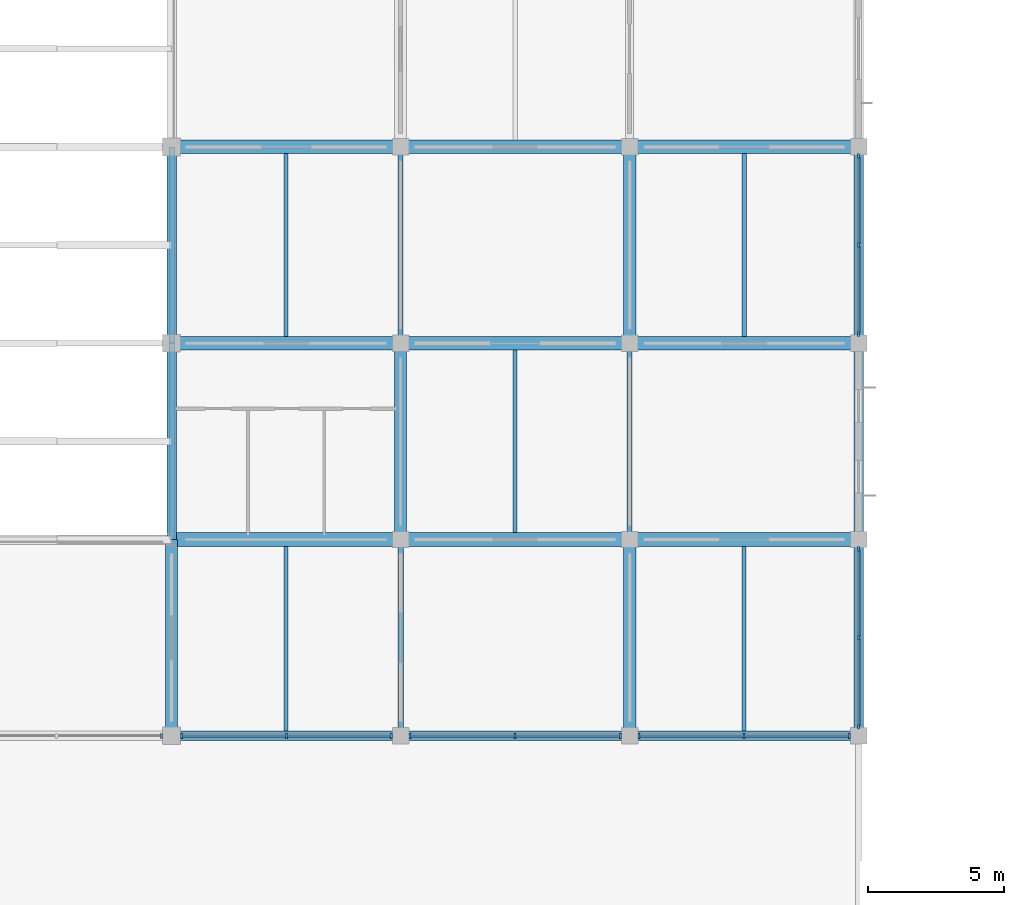
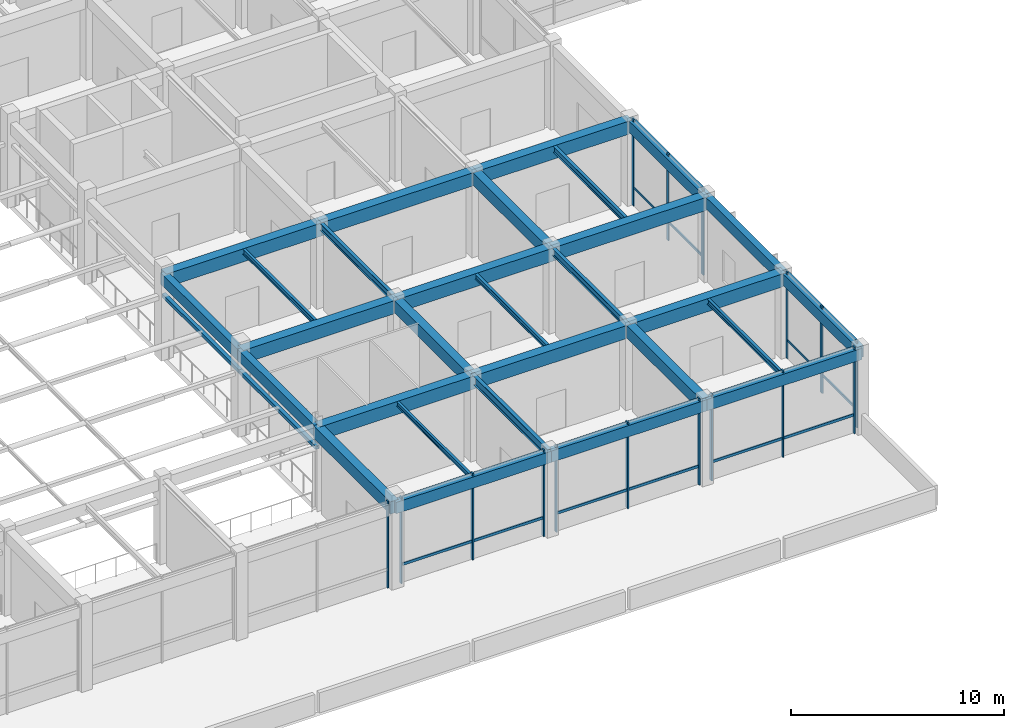
# One storey, part 8 of 38: 29 beams, 28 members, 6 elements without a shape of their own.
"""IFC4 building model written with IfcOpenShell, lengths in metres."""

import ifcopenshell
import ifcopenshell.guid

model = None  # the IFC model being written
_history = None  # IfcOwnerHistory: only IFC2X3 demands one
_inside = {}  # id of a spatial element -> (the spatial element, [elements in it])
_under = {}  # id of a project, library or spatial element -> (it, [spatial elements below it])
_declared = {}  # id of a project -> (the project, [libraries it declares])
_typed = {}  # id of a type object -> (the type object, [elements of that type])
_made_of = {}  # id of a material, layer set ... -> (it, [elements and type objects made of it])


def new_model(schema):
    """Start an empty IFC model of exactly this schema.

    Asked for "IFC4X3", IfcOpenShell would pick the latest addendum, in which some entities
    have other attributes; the version numbers below select the first issue.
    IFC2X3 requires an IfcOwnerHistory on every rooted entity: one is made here for all.
    """
    global model, _history
    if schema == "IFC4X3":
        model = ifcopenshell.file(schema_version=(4, 3, 0, 0))
    else:
        model = ifcopenshell.file(schema=schema)
    _inside.clear()
    _under.clear()
    _declared.clear()
    _typed.clear()
    _made_of.clear()
    _history = None
    if model.schema == "IFC2X3":
        org = make("IfcOrganization", Name="unknown")
        user = make(
            "IfcPersonAndOrganization",
            ThePerson=make("IfcPerson", FamilyName="unknown"),
            TheOrganization=org,
        )
        app = make(
            "IfcApplication",
            ApplicationDeveloper=org,
            Version="unknown",
            ApplicationFullName="unknown",
            ApplicationIdentifier="unknown",
        )
        _history = make(
            "IfcOwnerHistory",
            OwningUser=user,
            OwningApplication=app,
            ChangeAction="ADDED",
            CreationDate=0,
        )
    return model


def make(cls, **values):
    """One entity of the class cls with the attributes given. An attribute that is None is left unset."""
    return model.create_entity(
        cls, **{name: value for name, value in values.items() if value is not None}
    )


def rooted(cls, **values):
    """An entity with a GlobalId (a new one), such as an element, a storey or a relation."""
    return make(cls, GlobalId=ifcopenshell.guid.new(), OwnerHistory=_history, **values)


def si_unit(unit_type, name, prefix=None):
    """IfcSIUnit, for example si_unit("LENGTHUNIT", "METRE", prefix="MILLI")."""
    return make("IfcSIUnit", UnitType=unit_type, Prefix=prefix, Name=name)


def derived_unit(unit_type, elements):
    """IfcDerivedUnit: a product of units, each with its exponent."""
    return make(
        "IfcDerivedUnit",
        Elements=[
            make("IfcDerivedUnitElement", Unit=unit, Exponent=power)
            for unit, power in elements
        ],
        UnitType=unit_type,
    )


def assignment(units):
    """IfcUnitAssignment: the units of a project."""
    return None if units is None else make("IfcUnitAssignment", Units=units)


def point(xyz):
    """IfcCartesianPoint."""
    return None if xyz is None else make("IfcCartesianPoint", Coordinates=xyz)


def direction(xyz):
    """IfcDirection."""
    return None if xyz is None else make("IfcDirection", DirectionRatios=xyz)


def frame(location, z_axis=None, x_axis=None):
    """IfcAxis2Placement3D, a coordinate frame: its origin and axes. An axis left out is left unset."""
    return make(
        "IfcAxis2Placement3D",
        Location=point(location),
        Axis=direction(z_axis),
        RefDirection=direction(x_axis),
    )


def frame_2d(location, x_axis=None):
    """IfcAxis2Placement2D, a coordinate frame in the plane: its origin and x axis."""
    return make(
        "IfcAxis2Placement2D", Location=point(location), RefDirection=direction(x_axis)
    )


def origin():
    """The frame at (0, 0, 0) with its axes left unset."""
    return frame((0.0, 0.0, 0.0))


def origin_2d():
    """The frame at (0, 0) in the plane with its x axis left unset."""
    return frame_2d((0.0, 0.0))


def place(relative_to, where):
    """IfcLocalPlacement: puts the frame where relative to a parent placement (None: the world)."""
    return make(
        "IfcLocalPlacement", PlacementRelTo=relative_to, RelativePlacement=where
    )


def context(
    kind, dimensions, precision=None, world=None, true_north=None, identifier=None
):
    """IfcGeometricRepresentationContext, for example the 3D "Model" context."""
    return make(
        "IfcGeometricRepresentationContext",
        ContextIdentifier=identifier,
        ContextType=kind,
        CoordinateSpaceDimension=dimensions,
        Precision=precision,
        WorldCoordinateSystem=world,
        TrueNorth=true_north,
    )


def subcontext(parent, identifier, kind, view, scale=None):
    """IfcGeometricRepresentationSubContext, for example "Body" below "Model"."""
    return make(
        "IfcGeometricRepresentationSubContext",
        ContextIdentifier=identifier,
        ContextType=kind,
        ParentContext=parent,
        TargetScale=scale,
        TargetView=view,
    )


def project(units=None, contexts=None):
    """IfcProject with its units and contexts."""
    return rooted(
        "IfcProject",
        Name="project",
        RepresentationContexts=contexts,
        UnitsInContext=assignment(units),
    )


def spatial(cls, under=None, at=None, **own):
    """A site, building, storey or space (cls), placed at a placement, below another one or the project."""
    s = rooted(cls, ObjectPlacement=at, **own)
    if under is not None:
        _under.setdefault(under.id(), (under, []))[1].append(s)
    return s


def profile(cls, at=None, kind="AREA", **sizes):
    """A parametric profile (cls). Its sizes go by their IFC names, for example OverallWidth=200.0."""
    return make(cls, ProfileType=kind, Position=at, **sizes)


def rectangle(**sizes):
    """IfcRectangleProfileDef."""
    return profile("IfcRectangleProfileDef", **sizes)


def hollow_rectangle(**sizes):
    """IfcRectangleHollowProfileDef."""
    return profile("IfcRectangleHollowProfileDef", **sizes)


def i_section(**sizes):
    """IfcIShapeProfileDef."""
    return profile("IfcIShapeProfileDef", **sizes)


def extrude(swept, where, along, depth):
    """IfcExtrudedAreaSolid: the profile swept, set in the frame where, extruded along a direction by depth."""
    return make(
        "IfcExtrudedAreaSolid",
        SweptArea=swept,
        Position=where,
        ExtrudedDirection=direction(along),
        Depth=depth,
    )


def shape(context_of_items, identifier, shape_type, items):
    """IfcShapeRepresentation: the items that make up one representation, for example the "Body"."""
    return make(
        "IfcShapeRepresentation",
        ContextOfItems=context_of_items,
        RepresentationIdentifier=identifier,
        RepresentationType=shape_type,
        Items=items,
    )


def material(Name=None, Category=None):
    """IfcMaterial."""
    return make("IfcMaterial", Name=Name, Category=Category)


def material_profile(
    of_material, cross_section, Name=None, Category=None, Priority=None
):
    """IfcMaterialProfile: a cross section and its material."""
    return make(
        "IfcMaterialProfile",
        Name=Name,
        Material=of_material,
        Profile=cross_section,
        Priority=Priority,
        Category=Category,
    )


def profile_set(profiles, Name=None, composite=None):
    """IfcMaterialProfileSet."""
    return make(
        "IfcMaterialProfileSet",
        Name=Name,
        MaterialProfiles=profiles,
        CompositeProfile=composite,
    )


def made_of(thing, what):
    """Note that an element or type object is made of a material, layer set ...; save() writes the relation."""
    if what is not None:
        _made_of.setdefault(what.id(), (what, []))[1].append(thing)
    return thing


def type_object(cls, material=None, **own):
    """A type object (cls), such as IfcWallType, which elements share."""
    return made_of(rooted(cls, **own), material)


def element(
    cls,
    number,
    at=None,
    inside=None,
    cuts=None,
    type_object=None,
    material=None,
    context=None,
    identifier="Body",
    shape_type=None,
    held_by="IfcProductDefinitionShape",
    body=None,
    shapes=None,
    **own,
):
    """One element of the class cls, such as IfcWall. Its Tag is "e" and its number.

    at: its placement. inside: the storey or other place that contains it. cuts: it is an
    opening in that element (IfcRelVoidsElement). A single representation is given by context,
    identifier, shape_type and body (its items); several are given by shapes. held_by: the class
    of the entity that holds the representations. save() writes the other relations.
    """
    e = rooted(cls, Tag="e%d" % number, ObjectPlacement=at, **own)
    if body is not None:
        shapes = [shape(context, identifier, shape_type, body)]
    if shapes is not None:
        e.Representation = make(held_by, Representations=shapes)
    if inside is not None:
        _inside.setdefault(inside.id(), (inside, []))[1].append(e)
    if cuts is not None:
        rooted(
            "IfcRelVoidsElement", RelatingBuildingElement=cuts, RelatedOpeningElement=e
        )
    if type_object is not None:
        _typed.setdefault(type_object.id(), (type_object, []))[1].append(e)
    return made_of(e, material)


def aggregate(whole, parts):
    """IfcRelAggregates: a whole, such as a stair, and the parts it consists of."""
    return rooted("IfcRelAggregates", RelatingObject=whole, RelatedObjects=parts)


def save(model, path):
    """Write the relations noted so far, then the file.

    IfcRelAggregates (storeys below a building ...), IfcRelContainedInSpatialStructure (elements
    in a storey), IfcRelDefinesByType, IfcRelAssociatesMaterial and IfcRelDeclares: one each for
    every whole, place, type object, material and project.
    """
    for whole, parts in _under.values():
        aggregate(whole, parts)
    for where, things in _inside.values():
        rooted(
            "IfcRelContainedInSpatialStructure",
            RelatedElements=things,
            RelatingStructure=where,
        )
    for kind, things in _typed.values():
        rooted("IfcRelDefinesByType", RelatedObjects=things, RelatingType=kind)
    for what, things in _made_of.values():
        rooted("IfcRelAssociatesMaterial", RelatedObjects=things, RelatingMaterial=what)
    for by, libraries in _declared.values():
        rooted("IfcRelDeclares", RelatingContext=by, RelatedDefinitions=libraries)
    model.write(path)


model = new_model("IFC4")

# Units and contexts
model_context = context("Model", 3, precision=1e-05, world=origin(), true_north=direction((0.0, 1.0)))
body_context = subcontext(model_context, "Body", "Model", "MODEL_VIEW")
ifc_project = project(units=[si_unit("LENGTHUNIT", "METRE"), si_unit("AREAUNIT", "SQUARE_METRE"), si_unit("VOLUMEUNIT", "CUBIC_METRE"), si_unit("PLANEANGLEUNIT", "RADIAN"), si_unit("MASSUNIT", "GRAM", prefix="KILO"), derived_unit("THERMALTRANSMITTANCEUNIT", [(si_unit("MASSUNIT", "GRAM", prefix="KILO"), 1), (si_unit("TIMEUNIT", "SECOND"), -3), (si_unit("THERMODYNAMICTEMPERATUREUNIT", "KELVIN"), -1)])], contexts=[model_context])

# Site, building, storey
site_placement = place(None, origin())
site = spatial("IfcSite", under=ifc_project, at=site_placement, CompositionType="ELEMENT")
building_placement = place(site_placement, origin())
building = spatial("IfcBuilding", under=site, at=building_placement, Name="Veldstrom Oceanarium and Marine Research Institute", CompositionType="ELEMENT")
storey_placement = place(building_placement, frame((0.0, 0.0, 16.800048828125)))
storey = spatial("IfcBuildingStorey", under=building, at=storey_placement, Name="L03", CompositionType="ELEMENT", Elevation=16.800048828125)

# Curtain wall, member
ifc_material_1 = material(Name="Anodised Aluminium Framing", Category="aluminium")
curtain_wall_type_1 = type_object("IfcCurtainWallType", Name="ARC-CW-CW02", PredefinedType="USERDEFINED", material=ifc_material_1)
curtain_wall_1_placement = place(storey_placement, origin())
curtain_wall_1 = element("IfcCurtainWall", 1, at=curtain_wall_1_placement, inside=storey, type_object=curtain_wall_type_1, Name="Curtain Wall CW02 CW-L03-051", ObjectType="Curtain wall", PredefinedType="USERDEFINED")
ifc_material_2 = material(Name="Anodised Aluminium Framing", Category="aluminium")
ifc_material_profile_1 = material_profile(ifc_material_2, rectangle(XDim=0.074951171875, YDim=0.179931640625, at=origin_2d()), Name="ALU-MUL-75x180")
ifc_profile_set_1 = profile_set([ifc_material_profile_1], Name="Anodised Aluminium Framing")
member_type_1 = type_object("IfcMemberType", Name="ARC-MUL-ML1", PredefinedType="MULLION", material=ifc_profile_set_1)
member_1_placement = place(storey_placement, frame((41.635009765625, 7.199951171875, 0.0), z_axis=(0.0, 0.0, 1.0), x_axis=(1.0, 0.0, 0.0)))
member_1 = element("IfcMember", 2, at=member_1_placement, type_object=member_type_1, Name="Curtain Wall Mullion CW-L03-051-MUL-3", PredefinedType="MULLION", context=body_context, shape_type="SweptSolid", body=[
    extrude(rectangle(XDim=0.074951171875, YDim=0.179931640625, at=origin_2d()), origin(), (0.0, 0.0, 1.0), 4.949951171875),
])
aggregate(curtain_wall_1, [member_1])

# Curtain wall, members
curtain_wall_2_placement = place(storey_placement, origin())
curtain_wall_2 = element("IfcCurtainWall", 3, at=curtain_wall_2_placement, inside=storey, type_object=curtain_wall_type_1, Name="Curtain Wall CW02 CW-L03-052", ObjectType="Curtain wall", PredefinedType="USERDEFINED")
member_2_placement = place(storey_placement, frame((42.364990234375, 7.199951171875, 0.0), z_axis=(0.0, 0.0, 1.0), x_axis=(1.0, 0.0, 0.0)))
member_2 = element("IfcMember", 4, at=member_2_placement, type_object=member_type_1, Name="Curtain Wall Mullion CW-L03-052-MUL-1", PredefinedType="MULLION", context=body_context, shape_type="SweptSolid", body=[
    extrude(rectangle(XDim=0.074951171875, YDim=0.179931640625, at=origin_2d()), origin(), (0.0, 0.0, 1.0), 4.949951171875),
])
member_3_placement = place(storey_placement, frame((46.21240234375, 7.199951171875, 0.0), z_axis=(0.0, 0.0, 1.0), x_axis=(1.0, 0.0, 0.0)))
member_3 = element("IfcMember", 5, at=member_3_placement, type_object=member_type_1, Name="Curtain Wall Mullion CW-L03-052-MUL-2", PredefinedType="MULLION", context=body_context, shape_type="SweptSolid", body=[
    extrude(rectangle(XDim=0.074951171875, YDim=0.179931640625, at=origin_2d()), origin(), (0.0, 0.0, 1.0), 4.949951171875),
])
member_4_placement = place(storey_placement, frame((50.06005859375, 7.199951171875, 0.0), z_axis=(0.0, 0.0, 1.0), x_axis=(1.0, 0.0, 0.0)))
member_4 = element("IfcMember", 6, at=member_4_placement, type_object=member_type_1, Name="Curtain Wall Mullion CW-L03-052-MUL-3", PredefinedType="MULLION", context=body_context, shape_type="SweptSolid", body=[
    extrude(rectangle(XDim=0.074951171875, YDim=0.179931640625, at=origin_2d()), origin(), (0.0, 0.0, 1.0), 4.949951171875),
])

curtain_wall_3_placement = place(storey_placement, origin())
curtain_wall_3 = element("IfcCurtainWall", 7, at=curtain_wall_3_placement, inside=storey, type_object=curtain_wall_type_1, Name="Curtain Wall CW02 CW-L03-053", ObjectType="Curtain wall", PredefinedType="USERDEFINED")
member_5_placement = place(storey_placement, frame((50.739990234375, 7.199951171875, 0.0), z_axis=(0.0, 0.0, 1.0), x_axis=(1.0, 0.0, 0.0)))
member_5 = element("IfcMember", 8, at=member_5_placement, type_object=member_type_1, Name="Curtain Wall Mullion CW-L03-053-MUL-1", PredefinedType="MULLION", context=body_context, shape_type="SweptSolid", body=[
    extrude(rectangle(XDim=0.074951171875, YDim=0.179931640625, at=origin_2d()), origin(), (0.0, 0.0, 1.0), 4.949951171875),
])
member_6_placement = place(storey_placement, frame((54.60009765625, 7.199951171875, 0.0), z_axis=(0.0, 0.0, 1.0), x_axis=(1.0, 0.0, 0.0)))
member_6 = element("IfcMember", 9, at=member_6_placement, type_object=member_type_1, Name="Curtain Wall Mullion CW-L03-053-MUL-2", PredefinedType="MULLION", context=body_context, shape_type="SweptSolid", body=[
    extrude(rectangle(XDim=0.074951171875, YDim=0.179931640625, at=origin_2d()), origin(), (0.0, 0.0, 1.0), 4.949951171875),
])
member_7_placement = place(storey_placement, frame((58.4599609375, 7.199951171875, 0.0), z_axis=(0.0, 0.0, 1.0), x_axis=(1.0, 0.0, 0.0)))
member_7 = element("IfcMember", 10, at=member_7_placement, type_object=member_type_1, Name="Curtain Wall Mullion CW-L03-053-MUL-3", PredefinedType="MULLION", context=body_context, shape_type="SweptSolid", body=[
    extrude(rectangle(XDim=0.074951171875, YDim=0.179931640625, at=origin_2d()), origin(), (0.0, 0.0, 1.0), 4.949951171875),
])

curtain_wall_4_placement = place(storey_placement, origin())
curtain_wall_4 = element("IfcCurtainWall", 11, at=curtain_wall_4_placement, inside=storey, type_object=curtain_wall_type_1, Name="Curtain Wall CW02 CW-L03-055", ObjectType="Curtain wall", PredefinedType="USERDEFINED")
member_8_placement = place(storey_placement, frame((59.139892578125, 7.199951171875, 0.0), z_axis=(0.0, 0.0, 1.0), x_axis=(1.0, 0.0, 0.0)))
member_8 = element("IfcMember", 12, at=member_8_placement, type_object=member_type_1, Name="Curtain Wall Mullion CW-L03-055-MUL-1", PredefinedType="MULLION", context=body_context, shape_type="SweptSolid", body=[
    extrude(rectangle(XDim=0.074951171875, YDim=0.179931640625, at=origin_2d()), origin(), (0.0, 0.0, 1.0), 4.949951171875),
])
member_9_placement = place(storey_placement, frame((63.0, 7.199951171875, 0.0), z_axis=(0.0, 0.0, 1.0), x_axis=(1.0, 0.0, 0.0)))
member_9 = element("IfcMember", 13, at=member_9_placement, type_object=member_type_1, Name="Curtain Wall Mullion CW-L03-055-MUL-2", PredefinedType="MULLION", context=body_context, shape_type="SweptSolid", body=[
    extrude(rectangle(XDim=0.074951171875, YDim=0.179931640625, at=origin_2d()), origin(), (0.0, 0.0, 1.0), 4.949951171875),
])
member_10_placement = place(storey_placement, frame((66.860107421875, 7.199951171875, 0.0), z_axis=(0.0, 0.0, 1.0), x_axis=(1.0, 0.0, 0.0)))
member_10 = element("IfcMember", 14, at=member_10_placement, type_object=member_type_1, Name="Curtain Wall Mullion CW-L03-055-MUL-3", PredefinedType="MULLION", context=body_context, shape_type="SweptSolid", body=[
    extrude(rectangle(XDim=0.074951171875, YDim=0.179931640625, at=origin_2d()), origin(), (0.0, 0.0, 1.0), 4.949951171875),
])

ifc_material_3 = material(Name="Anodised Aluminium Framing", Category="aluminium")
curtain_wall_type_2 = type_object("IfcCurtainWallType", Name="ARC-CW-CW06", PredefinedType="USERDEFINED", material=ifc_material_3)
curtain_wall_5_placement = place(storey_placement, origin())
curtain_wall_5 = element("IfcCurtainWall", 15, at=curtain_wall_5_placement, inside=storey, type_object=curtain_wall_type_2, Name="Curtain Wall CW06 CW-L03-056", ObjectType="Curtain wall", PredefinedType="USERDEFINED")
member_11_placement = place(storey_placement, frame((67.199951171875, 7.5400390625, 0.0), z_axis=(0.0, 0.0, 1.0), x_axis=(1.0, 0.0, 0.0)))
member_11 = element("IfcMember", 16, at=member_11_placement, type_object=member_type_1, Name="Curtain Wall Mullion CW-L03-056-MUL-1", PredefinedType="MULLION", context=body_context, shape_type="SweptSolid", body=[
    extrude(rectangle(XDim=0.074951171875, YDim=0.179931640625, at=origin_2d()), origin(), (0.0, 0.0, 1.0), 4.949951171875),
])
member_12_placement = place(storey_placement, frame((67.199951171875, 10.800048828125, 0.0), z_axis=(0.0, 0.0, 1.0), x_axis=(1.0, 0.0, 0.0)))
member_12 = element("IfcMember", 17, at=member_12_placement, type_object=member_type_1, Name="Curtain Wall Mullion CW-L03-056-MUL-2", PredefinedType="MULLION", context=body_context, shape_type="SweptSolid", body=[
    extrude(rectangle(XDim=0.074951171875, YDim=0.179931640625, at=origin_2d()), origin(), (0.0, 0.0, 1.0), 4.949951171875),
])
member_13_placement = place(storey_placement, frame((67.199951171875, 14.06005859375, 0.0), z_axis=(0.0, 0.0, 1.0), x_axis=(1.0, 0.0, 0.0)))
member_13 = element("IfcMember", 18, at=member_13_placement, type_object=member_type_1, Name="Curtain Wall Mullion CW-L03-056-MUL-3", PredefinedType="MULLION", context=body_context, shape_type="SweptSolid", body=[
    extrude(rectangle(XDim=0.074951171875, YDim=0.179931640625, at=origin_2d()), origin(), (0.0, 0.0, 1.0), 4.949951171875),
])

curtain_wall_6_placement = place(storey_placement, origin())
curtain_wall_6 = element("IfcCurtainWall", 19, at=curtain_wall_6_placement, inside=storey, type_object=curtain_wall_type_2, Name="Curtain Wall CW06 CW-L03-057", ObjectType="Curtain wall", PredefinedType="USERDEFINED")
member_14_placement = place(storey_placement, frame((67.199951171875, 21.93994140625, 0.0), z_axis=(0.0, 0.0, 1.0), x_axis=(1.0, 0.0, 0.0)))
member_14 = element("IfcMember", 20, at=member_14_placement, type_object=member_type_1, Name="Curtain Wall Mullion CW-L03-057-MUL-1", PredefinedType="MULLION", context=body_context, shape_type="SweptSolid", body=[
    extrude(rectangle(XDim=0.074951171875, YDim=0.179931640625, at=origin_2d()), origin(), (0.0, 0.0, 1.0), 4.949951171875),
])
member_15_placement = place(storey_placement, frame((67.199951171875, 25.199951171875, 0.0), z_axis=(0.0, 0.0, 1.0), x_axis=(1.0, 0.0, 0.0)))
member_15 = element("IfcMember", 21, at=member_15_placement, type_object=member_type_1, Name="Curtain Wall Mullion CW-L03-057-MUL-2", PredefinedType="MULLION", context=body_context, shape_type="SweptSolid", body=[
    extrude(rectangle(XDim=0.074951171875, YDim=0.179931640625, at=origin_2d()), origin(), (0.0, 0.0, 1.0), 4.949951171875),
])
member_16_placement = place(storey_placement, frame((67.199951171875, 28.4599609375, 0.0), z_axis=(0.0, 0.0, 1.0), x_axis=(1.0, 0.0, 0.0)))
member_16 = element("IfcMember", 22, at=member_16_placement, type_object=member_type_1, Name="Curtain Wall Mullion CW-L03-057-MUL-3", PredefinedType="MULLION", context=body_context, shape_type="SweptSolid", body=[
    extrude(rectangle(XDim=0.074951171875, YDim=0.179931640625, at=origin_2d()), origin(), (0.0, 0.0, 1.0), 4.949951171875),
])

# Member
ifc_material_4 = material(Name="Anodised Aluminium Framing", Category="aluminium")
ifc_material_profile_2 = material_profile(ifc_material_4, rectangle(XDim=0.074951171875, YDim=0.14990234375, at=origin_2d()), Name="ALU-TRN-75x150")
ifc_profile_set_2 = profile_set([ifc_material_profile_2], Name="Anodised Aluminium Framing")
member_type_2 = type_object("IfcMemberType", Name="ARC-TRN-TR1", PredefinedType="USERDEFINED", material=ifc_profile_set_2)
member_17_placement = place(storey_placement, frame((42.405029296875, 7.199951171875, 1.050048828125), z_axis=(1.0, 0.0, 0.0), x_axis=(0.0, 1.0, 0.0)))
member_17 = element("IfcMember", 23, at=member_17_placement, type_object=member_type_2, Name="Curtain Wall Transom CW-L03-052-TRN-1", ObjectType="Transom", PredefinedType="USERDEFINED", context=body_context, shape_type="SweptSolid", body=[
    extrude(rectangle(XDim=0.074951171875, YDim=0.14990234375, at=origin_2d()), origin(), (0.0, 0.0, 1.0), 3.767578125),
])

member_18_placement = place(storey_placement, frame((46.25244140625, 7.199951171875, 1.050048828125), z_axis=(1.0, 0.0, 0.0), x_axis=(0.0, 1.0, 0.0)))
member_18 = element("IfcMember", 24, at=member_18_placement, type_object=member_type_2, Name="Curtain Wall Transom CW-L03-052-TRN-2", ObjectType="Transom", PredefinedType="USERDEFINED", context=body_context, shape_type="SweptSolid", body=[
    extrude(rectangle(XDim=0.074951171875, YDim=0.14990234375, at=origin_2d()), origin(), (0.0, 0.0, 1.0), 3.767578125),
])

aggregate(curtain_wall_2, [member_2, member_3, member_4, member_17, member_18])

member_19_placement = place(storey_placement, frame((50.780029296875, 7.199951171875, 1.050048828125), z_axis=(1.0, 0.0, 0.0), x_axis=(0.0, 1.0, 0.0)))
member_19 = element("IfcMember", 25, at=member_19_placement, type_object=member_type_2, Name="Curtain Wall Transom CW-L03-053-TRN-1", ObjectType="Transom", PredefinedType="USERDEFINED", context=body_context, shape_type="SweptSolid", body=[
    extrude(rectangle(XDim=0.074951171875, YDim=0.14990234375, at=origin_2d()), origin(), (0.0, 0.0, 1.0), 3.780029296875),
])

member_20_placement = place(storey_placement, frame((54.639892578125, 7.199951171875, 1.050048828125), z_axis=(1.0, 0.0, 0.0), x_axis=(0.0, 1.0, 0.0)))
member_20 = element("IfcMember", 26, at=member_20_placement, type_object=member_type_2, Name="Curtain Wall Transom CW-L03-053-TRN-2", ObjectType="Transom", PredefinedType="USERDEFINED", context=body_context, shape_type="SweptSolid", body=[
    extrude(rectangle(XDim=0.074951171875, YDim=0.14990234375, at=origin_2d()), origin(), (0.0, 0.0, 1.0), 3.780029296875),
])

aggregate(curtain_wall_3, [member_5, member_6, member_7, member_19, member_20])

member_21_placement = place(storey_placement, frame((59.179931640625, 7.199951171875, 1.050048828125), z_axis=(1.0, 0.0, 0.0), x_axis=(0.0, 1.0, 0.0)))
member_21 = element("IfcMember", 27, at=member_21_placement, type_object=member_type_2, Name="Curtain Wall Transom CW-L03-055-TRN-1", ObjectType="Transom", PredefinedType="USERDEFINED", context=body_context, shape_type="SweptSolid", body=[
    extrude(rectangle(XDim=0.074951171875, YDim=0.14990234375, at=origin_2d()), origin(), (0.0, 0.0, 1.0), 3.780029296875),
])

member_22_placement = place(storey_placement, frame((63.0400390625, 7.199951171875, 1.050048828125), z_axis=(1.0, 0.0, 0.0), x_axis=(0.0, 1.0, 0.0)))
member_22 = element("IfcMember", 28, at=member_22_placement, type_object=member_type_2, Name="Curtain Wall Transom CW-L03-055-TRN-2", ObjectType="Transom", PredefinedType="USERDEFINED", context=body_context, shape_type="SweptSolid", body=[
    extrude(rectangle(XDim=0.074951171875, YDim=0.14990234375, at=origin_2d()), origin(), (0.0, 0.0, 1.0), 3.780029296875),
])

aggregate(curtain_wall_4, [member_8, member_9, member_10, member_21, member_22])

ifc_material_5 = material(Name="Anodised Aluminium Framing", Category="aluminium")
ifc_material_profile_3 = material_profile(ifc_material_5, rectangle(XDim=0.06494140625, YDim=0.1201171875, at=origin_2d()), Name="ALU-TRN-65x120")
ifc_profile_set_3 = profile_set([ifc_material_profile_3], Name="Anodised Aluminium Framing")
member_type_3 = type_object("IfcMemberType", Name="ARC-TRN-TR2", PredefinedType="USERDEFINED", material=ifc_profile_set_3)
member_23_placement = place(storey_placement, frame((67.199951171875, 7.580078125, 1.050048828125), z_axis=(0.0, 1.0, 0.0), x_axis=(-1.0, 0.0, 0.0)))
member_23 = element("IfcMember", 29, at=member_23_placement, type_object=member_type_3, Name="Curtain Wall Transom CW-L03-056-TRN-1", ObjectType="Transom", PredefinedType="USERDEFINED", context=body_context, shape_type="SweptSolid", body=[
    extrude(rectangle(XDim=0.06494140625, YDim=0.1201171875, at=origin_2d()), origin(), (0.0, 0.0, 1.0), 3.179931640625),
])

member_24_placement = place(storey_placement, frame((67.199951171875, 10.840087890625, 1.050048828125), z_axis=(0.0, 1.0, 0.0), x_axis=(-1.0, 0.0, 0.0)))
member_24 = element("IfcMember", 30, at=member_24_placement, type_object=member_type_3, Name="Curtain Wall Transom CW-L03-056-TRN-2", ObjectType="Transom", PredefinedType="USERDEFINED", context=body_context, shape_type="SweptSolid", body=[
    extrude(rectangle(XDim=0.06494140625, YDim=0.1201171875, at=origin_2d()), origin(), (0.0, 0.0, 1.0), 3.179931640625),
])

aggregate(curtain_wall_5, [member_11, member_12, member_13, member_23, member_24])

member_25_placement = place(storey_placement, frame((67.199951171875, 21.97998046875, 1.050048828125), z_axis=(0.0, 1.0, 0.0), x_axis=(-1.0, 0.0, 0.0)))
member_25 = element("IfcMember", 31, at=member_25_placement, type_object=member_type_3, Name="Curtain Wall Transom CW-L03-057-TRN-1", ObjectType="Transom", PredefinedType="USERDEFINED", context=body_context, shape_type="SweptSolid", body=[
    extrude(rectangle(XDim=0.06494140625, YDim=0.1201171875, at=origin_2d()), origin(), (0.0, 0.0, 1.0), 3.179931640625),
])

member_26_placement = place(storey_placement, frame((67.199951171875, 25.239990234375, 1.050048828125), z_axis=(0.0, 1.0, 0.0), x_axis=(-1.0, 0.0, 0.0)))
member_26 = element("IfcMember", 32, at=member_26_placement, type_object=member_type_3, Name="Curtain Wall Transom CW-L03-057-TRN-2", ObjectType="Transom", PredefinedType="USERDEFINED", context=body_context, shape_type="SweptSolid", body=[
    extrude(rectangle(XDim=0.06494140625, YDim=0.1201171875, at=origin_2d()), origin(), (0.0, 0.0, 1.0), 3.179931640625),
])

aggregate(curtain_wall_6, [member_14, member_15, member_16, member_25, member_26])

# Beams
ifc_material_6 = material(Name="Concrete C40/50", Category="concrete")
ifc_material_profile_4 = material_profile(ifc_material_6, rectangle(XDim=0.5, YDim=0.75, at=origin_2d()), Name="RC-BM-500x750")
ifc_profile_set_4 = profile_set([ifc_material_profile_4], Name="Concrete C40/50")
beam_type_1 = type_object("IfcBeamType", Name="STR-BM-B03", PredefinedType="BEAM", material=ifc_profile_set_4)
for number, where, z_axis, x_axis, name in (
    (33, (42.0, 14.39990234375, 4.445068359375), (1.0, 0.0, 0.0), (0.0, 1.0, 0.0), "Primary Beam B03 L03-1865"),
    (34, (42.0, 21.60009765625, 4.445068359375), (1.0, 0.0, 0.0), (0.0, 1.0, 0.0), "Primary Beam B03 L03-1866"),
    (35, (42.0, 28.800048828125, 4.445068359375), (1.0, 0.0, 0.0), (0.0, 1.0, 0.0), "Primary Beam B03 L03-1867"),
):
    element("IfcBeam", number, at=place(storey_placement, frame(where, z_axis=z_axis, x_axis=x_axis)), inside=storey, type_object=beam_type_1, Name=name, PredefinedType="BEAM", context=body_context, shape_type="SweptSolid", body=[
        extrude(rectangle(XDim=0.5, YDim=0.75, at=origin_2d()), origin(), (0.0, 0.0, 1.0), 8.39990234375),
    ])
for number, where, z_axis, x_axis, name in (
    (36, (50.39990234375, 14.39990234375, 4.445068359375), (1.0, 0.0, 0.0), (0.0, 1.0, 0.0), "Primary Beam B03 L03-1875"),
    (37, (50.39990234375, 21.60009765625, 4.445068359375), (1.0, 0.0, 0.0), (0.0, 1.0, 0.0), "Primary Beam B03 L03-1876"),
    (38, (50.39990234375, 28.800048828125, 4.445068359375), (1.0, 0.0, 0.0), (0.0, 1.0, 0.0), "Primary Beam B03 L03-1877"),
):
    element("IfcBeam", number, at=place(storey_placement, frame(where, z_axis=z_axis, x_axis=x_axis)), inside=storey, type_object=beam_type_1, Name=name, PredefinedType="BEAM", context=body_context, shape_type="SweptSolid", body=[
        extrude(rectangle(XDim=0.5, YDim=0.75, at=origin_2d()), origin(), (0.0, 0.0, 1.0), 8.400146484375),
    ])
for number, where, z_axis, x_axis, name in (
    (39, (58.800048828125, 14.39990234375, 4.445068359375), (1.0, 0.0, 0.0), (0.0, 1.0, 0.0), "Primary Beam B03 L03-1885"),
    (40, (58.800048828125, 21.60009765625, 4.445068359375), (1.0, 0.0, 0.0), (0.0, 1.0, 0.0), "Primary Beam B03 L03-1886"),
    (41, (58.800048828125, 28.800048828125, 4.445068359375), (1.0, 0.0, 0.0), (0.0, 1.0, 0.0), "Primary Beam B03 L03-1887"),
):
    element("IfcBeam", number, at=place(storey_placement, frame(where, z_axis=z_axis, x_axis=x_axis)), inside=storey, type_object=beam_type_1, Name=name, PredefinedType="BEAM", context=body_context, shape_type="SweptSolid", body=[
        extrude(rectangle(XDim=0.5, YDim=0.75, at=origin_2d()), origin(), (0.0, 0.0, 1.0), 8.39990234375),
    ])
ifc_material_7 = material(Name="Concrete C40/50", Category="concrete")
ifc_material_profile_5 = material_profile(ifc_material_7, rectangle(XDim=0.449951171875, YDim=0.699951171875, at=origin_2d()), Name="RC-BM-450x700")
ifc_profile_set_5 = profile_set([ifc_material_profile_5], Name="Concrete C40/50")
beam_type_2 = type_object("IfcBeamType", Name="STR-BM-B04", PredefinedType="BEAM", material=ifc_profile_set_5)
beam_1_placement = place(storey_placement, frame((42.0, 7.199951171875, 4.469970703125), z_axis=(0.0, 1.0, 0.0), x_axis=(-1.0, 0.0, 0.0)))
element("IfcBeam", 42, at=beam_1_placement, inside=storey, type_object=beam_type_2, Name="Primary Beam B04 L03-1972", PredefinedType="BEAM", context=body_context, shape_type="SweptSolid", body=[
    extrude(rectangle(XDim=0.449951171875, YDim=0.699951171875, at=origin_2d()), origin(), (0.0, 0.0, 1.0), 7.199951171875),
])
beam_2_placement = place(storey_placement, frame((50.39990234375, 14.39990234375, 4.469970703125), z_axis=(0.0, 1.0, 0.0), x_axis=(-1.0, 0.0, 0.0)))
element("IfcBeam", 43, at=beam_2_placement, inside=storey, type_object=beam_type_2, Name="Primary Beam B04 L03-1982", PredefinedType="BEAM", context=body_context, shape_type="SweptSolid", body=[
    extrude(rectangle(XDim=0.449951171875, YDim=0.699951171875, at=origin_2d()), origin(), (0.0, 0.0, 1.0), 7.2001953125),
])
for number, where, z_axis, x_axis, name in (
    (44, (58.800048828125, 7.199951171875, 4.469970703125), (0.0, 1.0, 0.0), (-1.0, 0.0, 0.0), "Primary Beam B04 L03-1990"),
    (45, (58.800048828125, 21.60009765625, 4.469970703125), (0.0, 1.0, 0.0), (-1.0, 0.0, 0.0), "Primary Beam B04 L03-1992"),
):
    element("IfcBeam", number, at=place(storey_placement, frame(where, z_axis=z_axis, x_axis=x_axis)), inside=storey, type_object=beam_type_2, Name=name, PredefinedType="BEAM", context=body_context, shape_type="SweptSolid", body=[
        extrude(rectangle(XDim=0.449951171875, YDim=0.699951171875, at=origin_2d()), origin(), (0.0, 0.0, 1.0), 7.199951171875),
    ])
ifc_material_8 = material(Name="Steel S355JR", Category="steel")
ifc_material_profile_6 = material_profile(ifc_material_8, i_section(OverallWidth=0.199951171875, OverallDepth=0.5, WebThickness=0.01025390625, FlangeThickness=0.01611328125, FilletRadius=0.02099609375, at=origin_2d()), Name="IPE 500")
ifc_profile_set_6 = profile_set([ifc_material_profile_6], Name="Steel S355JR")
beam_type_3 = type_object("IfcBeamType", Name="STR-BM-SB6", PredefinedType="BEAM", material=ifc_profile_set_6)
beam_3_placement = place(storey_placement, frame((50.39990234375, 7.199951171875, 4.570068359375), z_axis=(0.0, 1.0, 0.0), x_axis=(-1.0, 0.0, 0.0)))
element("IfcBeam", 46, at=beam_3_placement, inside=storey, type_object=beam_type_3, Name="Steel Tie Beam SB6 L03-1981", PredefinedType="BEAM", context=body_context, shape_type="SweptSolid", body=[
    extrude(i_section(OverallWidth=0.199951171875, OverallDepth=0.5, WebThickness=0.01025390625, FlangeThickness=0.01611328125, FilletRadius=0.02099609375, at=origin_2d()), origin(), (0.0, 0.0, 1.0), 7.199951171875),
])
ifc_material_9 = material(Name="Steel S355JR", Category="steel")
ifc_material_profile_7 = material_profile(ifc_material_9, i_section(OverallWidth=0.179931640625, OverallDepth=0.39990234375, WebThickness=0.008544921875, FlangeThickness=0.013427734375, FilletRadius=0.02099609375, at=origin_2d()), Name="IPE 400")
ifc_profile_set_7 = profile_set([ifc_material_profile_7], Name="Steel S355JR")
beam_type_4 = type_object("IfcBeamType", Name="STR-BM-SB8", PredefinedType="BEAM", material=ifc_profile_set_7)
beam_4_placement = place(storey_placement, frame((50.39990234375, 21.60009765625, 4.619873046875), z_axis=(0.0, 1.0, 0.0), x_axis=(-1.0, 0.0, 0.0)))
element("IfcBeam", 47, at=beam_4_placement, inside=storey, type_object=beam_type_4, Name="Steel Tie Beam SB8 L03-1983", PredefinedType="BEAM", context=body_context, shape_type="SweptSolid", body=[
    extrude(i_section(OverallWidth=0.179931640625, OverallDepth=0.39990234375, WebThickness=0.008544921875, FlangeThickness=0.013427734375, FilletRadius=0.02099609375, at=origin_2d()), origin(), (0.0, 0.0, 1.0), 7.199951171875),
])
beam_5_placement = place(storey_placement, frame((58.800048828125, 14.39990234375, 4.619873046875), z_axis=(0.0, 1.0, 0.0), x_axis=(-1.0, 0.0, 0.0)))
element("IfcBeam", 48, at=beam_5_placement, inside=storey, type_object=beam_type_4, Name="Steel Tie Beam SB8 L03-1991", PredefinedType="BEAM", context=body_context, shape_type="SweptSolid", body=[
    extrude(i_section(OverallWidth=0.179931640625, OverallDepth=0.39990234375, WebThickness=0.008544921875, FlangeThickness=0.013427734375, FilletRadius=0.02099609375, at=origin_2d()), origin(), (0.0, 0.0, 1.0), 7.2001953125),
])
ifc_material_10 = material(Name="Steel S355JR", Category="steel")
ifc_material_profile_8 = material_profile(ifc_material_10, i_section(OverallWidth=0.169921875, OverallDepth=0.360107421875, WebThickness=0.008056640625, FlangeThickness=0.0126953125, FilletRadius=0.01806640625, at=origin_2d()), Name="IPE 360")
ifc_profile_set_8 = profile_set([ifc_material_profile_8], Name="Steel S355JR")
beam_type_5 = type_object("IfcBeamType", Name="STR-JST-SJ1", PredefinedType="JOIST", material=ifc_profile_set_8)
beam_6_placement = place(storey_placement, frame((63.0, 21.85009765625, 4.639892578125), z_axis=(0.0, 1.0, 0.0), x_axis=(-1.0, 0.0, 0.0)))
element("IfcBeam", 49, at=beam_6_placement, inside=storey, type_object=beam_type_5, Name="Secondary Joist SJ1 L03-2072", PredefinedType="JOIST", context=body_context, shape_type="SweptSolid", body=[
    extrude(i_section(OverallWidth=0.169921875, OverallDepth=0.360107421875, WebThickness=0.008056640625, FlangeThickness=0.0126953125, FilletRadius=0.01806640625, at=origin_2d()), origin(), (0.0, 0.0, 1.0), 6.699951171875),
])
ifc_material_11 = material(Name="Steel S355JR", Category="steel")
ifc_material_profile_9 = material_profile(ifc_material_11, i_section(OverallWidth=0.14990234375, OverallDepth=0.300048828125, WebThickness=0.007080078125, FlangeThickness=0.0107421875, FilletRadius=0.014892578125, at=origin_2d()), Name="IPE 300")
ifc_profile_set_9 = profile_set([ifc_material_profile_9], Name="Steel S355JR")
beam_type_6 = type_object("IfcBeamType", Name="STR-JST-SJ2", PredefinedType="JOIST", material=ifc_profile_set_9)
beam_7_placement = place(storey_placement, frame((46.199951171875, 21.85009765625, 4.669921875), z_axis=(0.0, 1.0, 0.0), x_axis=(-1.0, 0.0, 0.0)))
element("IfcBeam", 50, at=beam_7_placement, inside=storey, type_object=beam_type_6, Name="Secondary Joist SJ2 L03-2063", PredefinedType="JOIST", context=body_context, shape_type="SweptSolid", body=[
    extrude(i_section(OverallWidth=0.14990234375, OverallDepth=0.300048828125, WebThickness=0.007080078125, FlangeThickness=0.0107421875, FilletRadius=0.014892578125, at=origin_2d()), origin(), (0.0, 0.0, 1.0), 6.699951171875),
])
beam_8_placement = place(storey_placement, frame((54.60009765625, 14.64990234375, 4.669921875), z_axis=(0.0, 1.0, 0.0), x_axis=(-1.0, 0.0, 0.0)))
element("IfcBeam", 51, at=beam_8_placement, inside=storey, type_object=beam_type_6, Name="Secondary Joist SJ2 L03-2067", PredefinedType="JOIST", context=body_context, shape_type="SweptSolid", body=[
    extrude(i_section(OverallWidth=0.14990234375, OverallDepth=0.300048828125, WebThickness=0.007080078125, FlangeThickness=0.0107421875, FilletRadius=0.014892578125, at=origin_2d()), origin(), (0.0, 0.0, 1.0), 6.7001953125),
])
beam_9_placement = place(storey_placement, frame((63.0, 7.375, 4.669921875), z_axis=(0.0, 1.0, 0.0), x_axis=(-1.0, 0.0, 0.0)))
element("IfcBeam", 52, at=beam_9_placement, inside=storey, type_object=beam_type_6, Name="Secondary Joist SJ2 L03-2071", PredefinedType="JOIST", context=body_context, shape_type="SweptSolid", body=[
    extrude(i_section(OverallWidth=0.14990234375, OverallDepth=0.300048828125, WebThickness=0.007080078125, FlangeThickness=0.0107421875, FilletRadius=0.014892578125, at=origin_2d()), origin(), (0.0, 0.0, 1.0), 6.77490234375),
])
ifc_material_12 = material(Name="Steel S355JR", Category="steel")
ifc_material_profile_10 = material_profile(ifc_material_12, i_section(OverallWidth=0.135009765625, OverallDepth=0.27001953125, WebThickness=0.006591796875, FlangeThickness=0.01025390625, FilletRadius=0.014892578125, at=origin_2d()), Name="IPE 270")
ifc_profile_set_10 = profile_set([ifc_material_profile_10], Name="Steel S355JR")
beam_type_7 = type_object("IfcBeamType", Name="STR-JST-SJ3", PredefinedType="JOIST", material=ifc_profile_set_10)
beam_10_placement = place(storey_placement, frame((46.199951171875, 7.375, 4.68505859375), z_axis=(0.0, 1.0, 0.0), x_axis=(-1.0, 0.0, 0.0)))
element("IfcBeam", 53, at=beam_10_placement, inside=storey, type_object=beam_type_7, Name="Secondary Joist SJ3 L03-2062", PredefinedType="JOIST", context=body_context, shape_type="SweptSolid", body=[
    extrude(i_section(OverallWidth=0.135009765625, OverallDepth=0.27001953125, WebThickness=0.006591796875, FlangeThickness=0.01025390625, FilletRadius=0.014892578125, at=origin_2d()), origin(), (0.0, 0.0, 1.0), 6.77490234375),
])

# Members
ifc_material_13 = material(Name="Steel S355JR", Category="steel")
ifc_material_profile_11 = material_profile(ifc_material_13, hollow_rectangle(XDim=0.199951171875, YDim=0.199951171875, WallThickness=0.012451171875, at=origin_2d()), Name="SHS 200x200x12.5")
ifc_profile_set_11 = profile_set([ifc_material_profile_11], Name="Steel S355JR")
member_type_4 = type_object("IfcMemberType", Name="STR-MEM-CH2", PredefinedType="CHORD", material=ifc_profile_set_11)
member_27_placement = place(storey_placement, frame((42.0, 14.39990234375, 3.5), z_axis=(0.0, 1.0, 0.0), x_axis=(-1.0, 0.0, 0.0)))
element("IfcMember", 54, at=member_27_placement, inside=storey, type_object=member_type_4, Name="Hall Truss Bottom Longitudinal Tie 6/C", PredefinedType="CHORD", context=body_context, shape_type="SweptSolid", body=[
    extrude(hollow_rectangle(XDim=0.199951171875, YDim=0.199951171875, WallThickness=0.012451171875, at=origin_2d()), origin(), (0.0, 0.0, 1.0), 7.2001953125),
])
member_28_placement = place(storey_placement, frame((42.0, 21.60009765625, 3.5), z_axis=(0.0, 1.0, 0.0), x_axis=(-1.0, 0.0, 0.0)))
element("IfcMember", 55, at=member_28_placement, inside=storey, type_object=member_type_4, Name="Hall Truss Bottom Longitudinal Tie 6/D", PredefinedType="CHORD", context=body_context, shape_type="SweptSolid", body=[
    extrude(hollow_rectangle(XDim=0.199951171875, YDim=0.199951171875, WallThickness=0.012451171875, at=origin_2d()), origin(), (0.0, 0.0, 1.0), 7.199951171875),
])

# Beams
ifc_material_14 = material(Name="Concrete C40/50", Category="concrete")
ifc_material_profile_12 = material_profile(ifc_material_14, rectangle(XDim=0.35009765625, YDim=0.64990234375, at=origin_2d()), Name="RC-SPN-350x650")
ifc_profile_set_12 = profile_set([ifc_material_profile_12], Name="Concrete C40/50")
beam_type_8 = type_object("IfcBeamType", Name="STR-SPN-SP1", PredefinedType="SPANDREL", material=ifc_profile_set_12)
beam_11_placement = place(storey_placement, frame((42.0, 7.199951171875, 4.494873046875), z_axis=(1.0, 0.0, 0.0), x_axis=(0.0, 1.0, 0.0)))
element("IfcBeam", 56, at=beam_11_placement, inside=storey, type_object=beam_type_8, Name="Perimeter Spandrel SPB1 L03-1864", PredefinedType="SPANDREL", context=body_context, shape_type="SweptSolid", body=[
    extrude(rectangle(XDim=0.35009765625, YDim=0.64990234375, at=origin_2d()), origin(), (0.0, 0.0, 1.0), 8.39990234375),
])
beam_12_placement = place(storey_placement, frame((50.39990234375, 7.199951171875, 4.494873046875), z_axis=(1.0, 0.0, 0.0), x_axis=(0.0, 1.0, 0.0)))
element("IfcBeam", 57, at=beam_12_placement, inside=storey, type_object=beam_type_8, Name="Perimeter Spandrel SPB1 L03-1874", PredefinedType="SPANDREL", context=body_context, shape_type="SweptSolid", body=[
    extrude(rectangle(XDim=0.35009765625, YDim=0.64990234375, at=origin_2d()), origin(), (0.0, 0.0, 1.0), 8.400146484375),
])
beam_13_placement = place(storey_placement, frame((58.800048828125, 7.199951171875, 4.494873046875), z_axis=(1.0, 0.0, 0.0), x_axis=(0.0, 1.0, 0.0)))
element("IfcBeam", 58, at=beam_13_placement, inside=storey, type_object=beam_type_8, Name="Perimeter Spandrel SPB1 L03-1884", PredefinedType="SPANDREL", context=body_context, shape_type="SweptSolid", body=[
    extrude(rectangle(XDim=0.35009765625, YDim=0.64990234375, at=origin_2d()), origin(), (0.0, 0.0, 1.0), 8.39990234375),
])
beam_14_placement = place(storey_placement, frame((42.0, 14.39990234375, 4.494873046875), z_axis=(0.0, 1.0, 0.0), x_axis=(-1.0, 0.0, 0.0)))
element("IfcBeam", 59, at=beam_14_placement, inside=storey, type_object=beam_type_8, Name="Perimeter Spandrel SPB1 L03-1973", PredefinedType="SPANDREL", context=body_context, shape_type="SweptSolid", body=[
    extrude(rectangle(XDim=0.35009765625, YDim=0.64990234375, at=origin_2d()), origin(), (0.0, 0.0, 1.0), 7.2001953125),
])
for number, where, z_axis, x_axis, name in (
    (60, (42.0, 21.60009765625, 4.494873046875), (0.0, 1.0, 0.0), (-1.0, 0.0, 0.0), "Perimeter Spandrel SPB1 L03-1974"),
    (61, (67.199951171875, 7.199951171875, 4.494873046875), (0.0, 1.0, 0.0), (-1.0, 0.0, 0.0), "Perimeter Spandrel SPB1 L03-1999"),
):
    element("IfcBeam", number, at=place(storey_placement, frame(where, z_axis=z_axis, x_axis=x_axis)), inside=storey, type_object=beam_type_8, Name=name, PredefinedType="SPANDREL", context=body_context, shape_type="SweptSolid", body=[
        extrude(rectangle(XDim=0.35009765625, YDim=0.64990234375, at=origin_2d()), origin(), (0.0, 0.0, 1.0), 7.199951171875),
    ])
beam_15_placement = place(storey_placement, frame((67.199951171875, 14.39990234375, 4.494873046875), z_axis=(0.0, 1.0, 0.0), x_axis=(-1.0, 0.0, 0.0)))
element("IfcBeam", 62, at=beam_15_placement, inside=storey, type_object=beam_type_8, Name="Perimeter Spandrel SPB1 L03-2000", PredefinedType="SPANDREL", context=body_context, shape_type="SweptSolid", body=[
    extrude(rectangle(XDim=0.35009765625, YDim=0.64990234375, at=origin_2d()), origin(), (0.0, 0.0, 1.0), 7.2001953125),
])
beam_16_placement = place(storey_placement, frame((67.199951171875, 21.60009765625, 4.494873046875), z_axis=(0.0, 1.0, 0.0), x_axis=(-1.0, 0.0, 0.0)))
element("IfcBeam", 63, at=beam_16_placement, inside=storey, type_object=beam_type_8, Name="Perimeter Spandrel SPB1 L03-2001", PredefinedType="SPANDREL", context=body_context, shape_type="SweptSolid", body=[
    extrude(rectangle(XDim=0.35009765625, YDim=0.64990234375, at=origin_2d()), origin(), (0.0, 0.0, 1.0), 7.199951171875),
])

save(model, "model.ifc")
